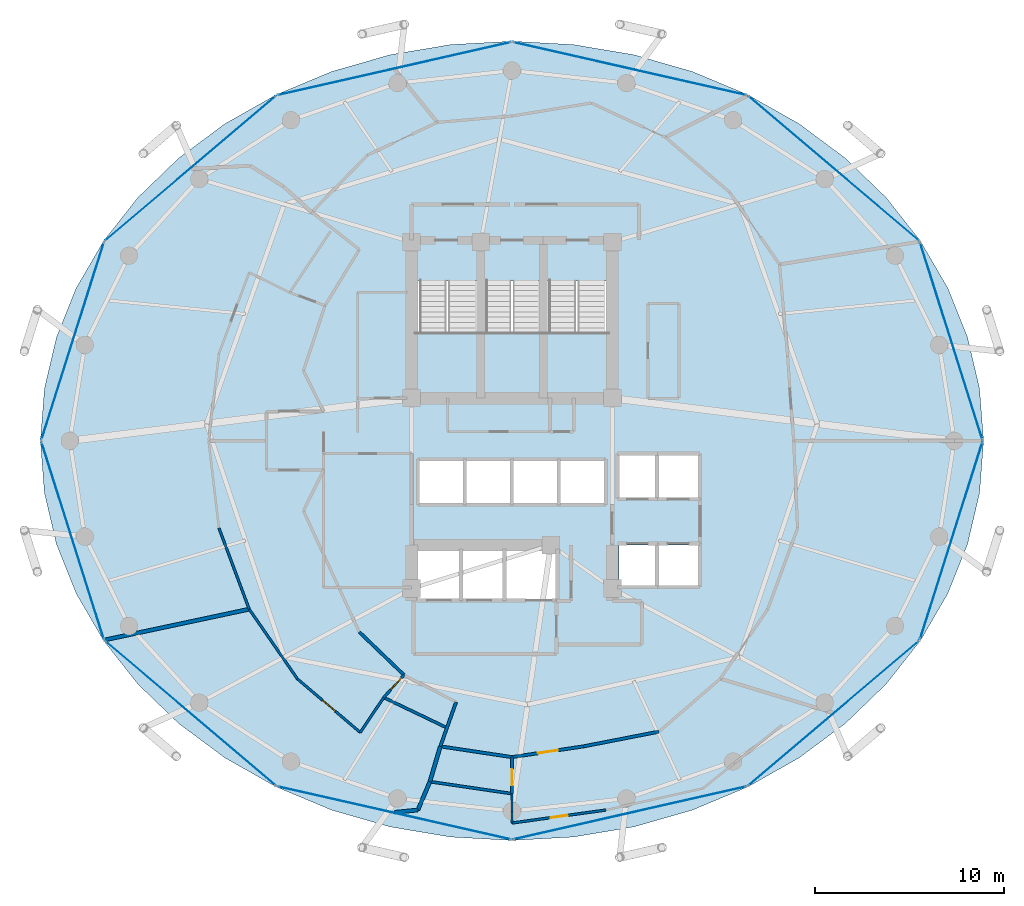
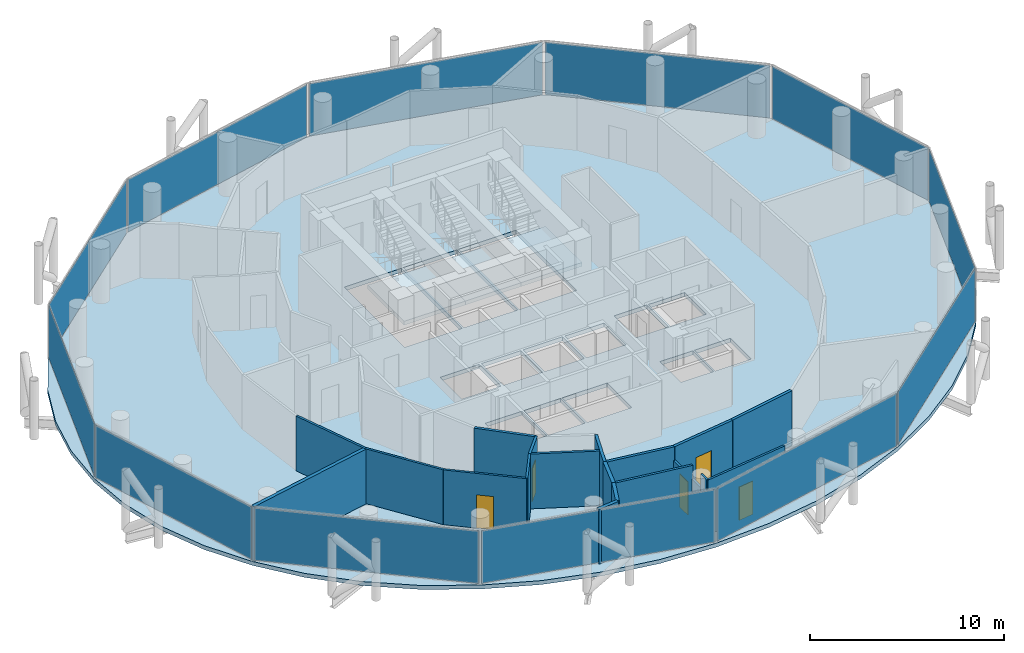
# One storey, part 21 of 26: 20 walls, 12 plates, 5 doors, 4 slabs, 5 openings, 15 elements without a shape of their own.
"""IFC4 building model written with IfcOpenShell, lengths in metres."""

from ifc_helpers import new_model, si_unit, direction, frame, frame_2d, origin, origin_2d, place, context, subcontext, project, spatial, polyline, rectangle, outline, extrude, material, layer, layer_set, type_object, element, fill, aggregate, save


model = new_model("IFC4")

# Units and contexts
model_context = context("Model", 3, precision=1e-05, world=origin(), true_north=direction((0.0, 1.0)))
body_context = subcontext(model_context, "Body", "Model", "MODEL_VIEW")
ifc_project = project(units=[si_unit("LENGTHUNIT", "METRE"), si_unit("AREAUNIT", "SQUARE_METRE"), si_unit("VOLUMEUNIT", "CUBIC_METRE"), si_unit("PLANEANGLEUNIT", "RADIAN"), si_unit("MASSUNIT", "GRAM", prefix="KILO")], contexts=[model_context])

# Site, building, storey
site_placement = place(None, origin())
site = spatial("IfcSite", under=ifc_project, at=site_placement, CompositionType="ELEMENT")
building_placement = place(site_placement, origin())
building = spatial("IfcBuilding", under=site, at=building_placement, Name="Nuhasar Tower", CompositionType="ELEMENT")
storey_placement = place(building_placement, frame((0.0, 0.0, 188.550048828125)))
storey = spatial("IfcBuildingStorey", under=building, at=storey_placement, Name="L46", CompositionType="ELEMENT", Elevation=188.550048828125)

# Curtain wall, plate
ifc_material_1 = material(Name="Aluminium 6063-T6", Category="aluminium")
ifc_layer_1 = layer(ifc_material_1, 0.199951171875)
ifc_layer_set_1 = layer_set([ifc_layer_1], Name="Aluminium 6063-T6")
curtain_wall_type = type_object("IfcCurtainWallType", Name="CW-Z2-HTL", PredefinedType="NOTDEFINED", material=ifc_layer_set_1)
curtain_wall_1_placement = place(storey_placement, origin())
curtain_wall_1 = element("IfcCurtainWall", 1, at=curtain_wall_1_placement, inside=storey, type_object=curtain_wall_type, Name="L46 Unitised Curtain Wall 01", PredefinedType="NOTDEFINED")
ifc_material_2 = material(Name="Glass Double Low-E", Category="glass")
ifc_layer_2 = layer(ifc_material_2, 0.028076171875)
ifc_layer_set_2 = layer_set([ifc_layer_2], Name="Glass Double Low-E")
plate_type = type_object("IfcPlateType", Name="CW-PANEL-GLZ", PredefinedType="CURTAIN_PANEL", material=ifc_layer_set_2)
plate_1_placement = place(storey_placement, frame((62.194580078125, 32.06494140625, 0.06982421875), z_axis=(0.0, 0.0, 1.0), x_axis=(-0.301603667577, 0.953433389233, 0.0)))
plate_1 = element("IfcPlate", 2, at=plate_1_placement, type_object=plate_type, Name="CW-Z2 panel 1.1", PredefinedType="CURTAIN_PANEL", context=body_context, shape_type="SweptSolid", body=[
    extrude(rectangle(XDim=10.904296875, YDim=0.028076171875, at=origin_2d()), origin(), (0.0, 0.0, 1.0), 3.31005859375),
])
aggregate(curtain_wall_1, [plate_1])

curtain_wall_2_placement = place(storey_placement, origin())
curtain_wall_2 = element("IfcCurtainWall", 3, at=curtain_wall_2_placement, inside=storey, type_object=curtain_wall_type, Name="L46 Unitised Curtain Wall 02", PredefinedType="NOTDEFINED")
plate_2_placement = place(storey_placement, frame((55.9794921875, 41.18408203125, 0.06982421875), z_axis=(0.0, 0.0, 1.0), x_axis=(-0.763020370292, 0.646374438324, 0.0)))
plate_2 = element("IfcPlate", 4, at=plate_2_placement, type_object=plate_type, Name="CW-Z2 panel 1.1", PredefinedType="CURTAIN_PANEL", context=body_context, shape_type="SweptSolid", body=[
    extrude(rectangle(XDim=11.784912109375, YDim=0.028076171875, at=origin_2d()), origin(), (0.0, 0.0, 1.0), 3.31005859375),
])
aggregate(curtain_wall_2, [plate_2])

curtain_wall_3_placement = place(storey_placement, origin())
curtain_wall_3 = element("IfcCurtainWall", 5, at=curtain_wall_3_placement, inside=storey, type_object=curtain_wall_type, Name="L46 Unitised Curtain Wall 03", PredefinedType="NOTDEFINED")
plate_3_placement = place(storey_placement, frame((45.215087890625, 46.448974609375, 0.06982421875), z_axis=(0.0, 0.0, 1.0), x_axis=(-0.975183694221, 0.22139729566, 0.0)))
plate_3 = element("IfcPlate", 6, at=plate_3_placement, type_object=plate_type, Name="CW-Z2 panel 1.1", PredefinedType="CURTAIN_PANEL", context=body_context, shape_type="SweptSolid", body=[
    extrude(rectangle(XDim=12.606201171875, YDim=0.028076171875, at=origin_2d()), origin(), (0.0, 0.0, 1.0), 3.31005859375),
])
aggregate(curtain_wall_3, [plate_3])

curtain_wall_4_placement = place(storey_placement, origin())
curtain_wall_4 = element("IfcCurtainWall", 7, at=curtain_wall_4_placement, inside=storey, type_object=curtain_wall_type, Name="L46 Unitised Curtain Wall 04", PredefinedType="NOTDEFINED")
plate_4_placement = place(storey_placement, frame((32.784912109375, 46.448974609375, 0.06982421875), z_axis=(0.0, 0.0, 1.0), x_axis=(-0.975183694221, -0.22139729566, 0.0)))
plate_4 = element("IfcPlate", 8, at=plate_4_placement, type_object=plate_type, Name="CW-Z2 panel 1.1", PredefinedType="CURTAIN_PANEL", context=body_context, shape_type="SweptSolid", body=[
    extrude(rectangle(XDim=12.606201171875, YDim=0.028076171875, at=origin_2d()), origin(), (0.0, 0.0, 1.0), 3.31005859375),
])
aggregate(curtain_wall_4, [plate_4])

curtain_wall_5_placement = place(storey_placement, origin())
curtain_wall_5 = element("IfcCurtainWall", 9, at=curtain_wall_5_placement, inside=storey, type_object=curtain_wall_type, Name="L46 Unitised Curtain Wall 05", PredefinedType="NOTDEFINED")
plate_5_placement = place(storey_placement, frame((22.0205078125, 41.18408203125, 0.06982421875), z_axis=(0.0, 0.0, 1.0), x_axis=(-0.763020370292, -0.646374438324, 0.0)))
plate_5 = element("IfcPlate", 10, at=plate_5_placement, type_object=plate_type, Name="CW-Z2 panel 1.1", PredefinedType="CURTAIN_PANEL", context=body_context, shape_type="SweptSolid", body=[
    extrude(rectangle(XDim=11.784912109375, YDim=0.028076171875, at=origin_2d()), origin(), (0.0, 0.0, 1.0), 3.31005859375),
])
aggregate(curtain_wall_5, [plate_5])

curtain_wall_6_placement = place(storey_placement, origin())
curtain_wall_6 = element("IfcCurtainWall", 11, at=curtain_wall_6_placement, inside=storey, type_object=curtain_wall_type, Name="L46 Unitised Curtain Wall 06", PredefinedType="NOTDEFINED")
plate_6_placement = place(storey_placement, frame((15.805419921875, 32.06494140625, 0.06982421875), z_axis=(0.0, 0.0, 1.0), x_axis=(-0.301603667577, -0.953433389233, 0.0)))
plate_6 = element("IfcPlate", 12, at=plate_6_placement, type_object=plate_type, Name="CW-Z2 panel 1.1", PredefinedType="CURTAIN_PANEL", context=body_context, shape_type="SweptSolid", body=[
    extrude(rectangle(XDim=10.904296875, YDim=0.028076171875, at=origin_2d()), origin(), (0.0, 0.0, 1.0), 3.31005859375),
])
aggregate(curtain_wall_6, [plate_6])

curtain_wall_7_placement = place(storey_placement, origin())
curtain_wall_7 = element("IfcCurtainWall", 13, at=curtain_wall_7_placement, inside=storey, type_object=curtain_wall_type, Name="L46 Unitised Curtain Wall 07", PredefinedType="NOTDEFINED")
plate_7_placement = place(storey_placement, frame((15.805419921875, 21.534912109375, 0.06982421875), z_axis=(0.0, 0.0, 1.0), x_axis=(0.301603667577, -0.953433389233, 0.0)))
plate_7 = element("IfcPlate", 14, at=plate_7_placement, type_object=plate_type, Name="CW-Z2 panel 1.1", PredefinedType="CURTAIN_PANEL", context=body_context, shape_type="SweptSolid", body=[
    extrude(rectangle(XDim=10.904296875, YDim=0.028076171875, at=origin_2d()), origin(), (0.0, 0.0, 1.0), 3.31005859375),
])
aggregate(curtain_wall_7, [plate_7])

curtain_wall_8_placement = place(storey_placement, origin())
curtain_wall_8 = element("IfcCurtainWall", 15, at=curtain_wall_8_placement, inside=storey, type_object=curtain_wall_type, Name="L46 Unitised Curtain Wall 08", PredefinedType="NOTDEFINED")
plate_8_placement = place(storey_placement, frame((22.0205078125, 12.416015625, 0.06982421875), z_axis=(0.0, 0.0, 1.0), x_axis=(0.763020370292, -0.646374438324, 0.0)))
plate_8 = element("IfcPlate", 16, at=plate_8_placement, type_object=plate_type, Name="CW-Z2 panel 1.1", PredefinedType="CURTAIN_PANEL", context=body_context, shape_type="SweptSolid", body=[
    extrude(rectangle(XDim=11.784912109375, YDim=0.028076171875, at=origin_2d()), origin(), (0.0, 0.0, 1.0), 3.31005859375),
])
aggregate(curtain_wall_8, [plate_8])

curtain_wall_9_placement = place(storey_placement, origin())
curtain_wall_9 = element("IfcCurtainWall", 17, at=curtain_wall_9_placement, inside=storey, type_object=curtain_wall_type, Name="L46 Unitised Curtain Wall 09", PredefinedType="NOTDEFINED")
plate_9_placement = place(storey_placement, frame((32.784912109375, 7.15087890625, 0.06982421875), z_axis=(0.0, 0.0, 1.0), x_axis=(0.975183694221, -0.22139729566, 0.0)))
plate_9 = element("IfcPlate", 18, at=plate_9_placement, type_object=plate_type, Name="CW-Z2 panel 1.1", PredefinedType="CURTAIN_PANEL", context=body_context, shape_type="SweptSolid", body=[
    extrude(rectangle(XDim=12.606201171875, YDim=0.028076171875, at=origin_2d()), origin(), (0.0, 0.0, 1.0), 3.31005859375),
])
aggregate(curtain_wall_9, [plate_9])

curtain_wall_10_placement = place(storey_placement, origin())
curtain_wall_10 = element("IfcCurtainWall", 19, at=curtain_wall_10_placement, inside=storey, type_object=curtain_wall_type, Name="L46 Unitised Curtain Wall 10", PredefinedType="NOTDEFINED")
plate_10_placement = place(storey_placement, frame((45.215087890625, 7.15087890625, 0.06982421875), z_axis=(0.0, 0.0, 1.0), x_axis=(0.975183694221, 0.22139729566, 0.0)))
plate_10 = element("IfcPlate", 20, at=plate_10_placement, type_object=plate_type, Name="CW-Z2 panel 1.1", PredefinedType="CURTAIN_PANEL", context=body_context, shape_type="SweptSolid", body=[
    extrude(rectangle(XDim=12.606201171875, YDim=0.028076171875, at=origin_2d()), origin(), (0.0, 0.0, 1.0), 3.31005859375),
])
aggregate(curtain_wall_10, [plate_10])

curtain_wall_11_placement = place(storey_placement, origin())
curtain_wall_11 = element("IfcCurtainWall", 21, at=curtain_wall_11_placement, inside=storey, type_object=curtain_wall_type, Name="L46 Unitised Curtain Wall 11", PredefinedType="NOTDEFINED")
plate_11_placement = place(storey_placement, frame((55.9794921875, 12.416015625, 0.06982421875), z_axis=(0.0, 0.0, 1.0), x_axis=(0.763020370292, 0.646374438324, 0.0)))
plate_11 = element("IfcPlate", 22, at=plate_11_placement, type_object=plate_type, Name="CW-Z2 panel 1.1", PredefinedType="CURTAIN_PANEL", context=body_context, shape_type="SweptSolid", body=[
    extrude(rectangle(XDim=11.784912109375, YDim=0.028076171875, at=origin_2d()), origin(), (0.0, 0.0, 1.0), 3.31005859375),
])
aggregate(curtain_wall_11, [plate_11])

curtain_wall_12_placement = place(storey_placement, origin())
curtain_wall_12 = element("IfcCurtainWall", 23, at=curtain_wall_12_placement, inside=storey, type_object=curtain_wall_type, Name="L46 Unitised Curtain Wall 12", PredefinedType="NOTDEFINED")
plate_12_placement = place(storey_placement, frame((62.194580078125, 21.534912109375, 0.06982421875), z_axis=(0.0, 0.0, 1.0), x_axis=(0.301603667577, 0.953433389233, 0.0)))
plate_12 = element("IfcPlate", 24, at=plate_12_placement, type_object=plate_type, Name="CW-Z2 panel 1.1", PredefinedType="CURTAIN_PANEL", context=body_context, shape_type="SweptSolid", body=[
    extrude(rectangle(XDim=10.904296875, YDim=0.028076171875, at=origin_2d()), origin(), (0.0, 0.0, 1.0), 3.31005859375),
])
aggregate(curtain_wall_12, [plate_12])

# Stair, slab
ifc_material_3 = material(Name="Concrete C45/55", Category="concrete")
stair_type_1 = type_object("IfcStairType", Name="STR-ST-01-2F-22R-1682", PredefinedType="HALF_TURN_STAIR", material=ifc_material_3)
stair_1_placement = place(storey_placement, origin())
stair_1 = element("IfcStair", 25, at=stair_1_placement, inside=storey, type_object=stair_type_1, Name="L46 Exit Stair ST-01", PredefinedType="HALF_TURN_STAIR")
ifc_layer_3 = layer(ifc_material_3, 0.239990234375)
ifc_layer_set_3 = layer_set([ifc_layer_3], Name="Concrete C45/55")
slab_type_1 = type_object("IfcSlabType", Name="SLB-STAIR-LND-240", PredefinedType="LANDING", material=ifc_layer_set_3)
slab_1_placement = place(storey_placement, frame((0.0, 0.0, 1.60986328125)))
slab_1 = element("IfcSlab", 26, at=slab_1_placement, type_object=slab_type_1, Name="ST-01 landing 1", PredefinedType="LANDING", context=body_context, shape_type="SweptSolid", body=[
    extrude(outline(polyline([(33.699951171875, 28.75), (37.35009765625, 28.75), (37.35009765625, 32.52001953125), (33.699951171875, 32.52001953125), (33.699951171875, 28.75)])), origin(), (0.0, 0.0, 1.0), 0.239990234375),
])
aggregate(stair_1, [slab_1])

stair_type_2 = type_object("IfcStairType", Name="STR-ST-03-2F-22R-1682", PredefinedType="HALF_TURN_STAIR", material=ifc_material_3)
stair_2_placement = place(storey_placement, origin())
stair_2 = element("IfcStair", 27, at=stair_2_placement, inside=storey, type_object=stair_type_2, Name="L46 Exit Stair ST-03", PredefinedType="HALF_TURN_STAIR")
slab_2_placement = place(storey_placement, frame((0.0, 0.0, 1.60986328125)))
slab_2 = element("IfcSlab", 28, at=slab_2_placement, type_object=slab_type_1, Name="ST-03 landing 1", PredefinedType="LANDING", context=body_context, shape_type="SweptSolid", body=[
    extrude(outline(polyline([(37.35009765625, 28.75), (40.64990234375, 28.75), (40.64990234375, 32.52001953125), (37.35009765625, 32.52001953125), (37.35009765625, 28.75)])), origin(), (0.0, 0.0, 1.0), 0.239990234375),
])
aggregate(stair_2, [slab_2])

stair_type_3 = type_object("IfcStairType", Name="STR-ST-02-2F-22R-1682", PredefinedType="HALF_TURN_STAIR", material=ifc_material_3)
stair_3_placement = place(storey_placement, origin())
stair_3 = element("IfcStair", 29, at=stair_3_placement, inside=storey, type_object=stair_type_3, Name="L46 Exit Stair ST-02", PredefinedType="HALF_TURN_STAIR")
slab_3_placement = place(storey_placement, frame((0.0, 0.0, 1.60986328125)))
slab_3 = element("IfcSlab", 30, at=slab_3_placement, type_object=slab_type_1, Name="ST-02 landing 1", PredefinedType="LANDING", context=body_context, shape_type="SweptSolid", body=[
    extrude(outline(polyline([(40.64990234375, 28.75), (44.300048828125, 28.75), (44.300048828125, 32.52001953125), (40.64990234375, 32.52001953125), (40.64990234375, 28.75)])), origin(), (0.0, 0.0, 1.0), 0.239990234375),
])
aggregate(stair_3, [slab_3])

# Slab
ifc_layer_4 = layer(ifc_material_3, 0.25)
ifc_layer_set_4 = layer_set([ifc_layer_4], Name="Concrete C45/55")
slab_type_2 = type_object("IfcSlabType", Name="SLB-Z1B-250", PredefinedType="FLOOR", material=ifc_layer_set_4)
slab_4_placement = place(storey_placement, frame((0.0, 0.0, -0.25)))
element("IfcSlab", 31, at=slab_4_placement, inside=storey, type_object=slab_type_2, Name="L46 Structural Slab", PredefinedType="FLOOR", context=body_context, shape_type="SweptSolid", body=[
    extrude(outline(polyline([(63.89990234375, 26.800048828125), (63.68701171875, 29.553955078125), (63.052001953125, 32.260986328125), (62.0048828125, 34.875), (60.56396484375, 37.35009765625), (58.75390625, 39.64501953125), (56.60693359375, 41.719970703125), (54.157958984375, 43.5400390625), (51.449951171875, 45.072998046875), (48.529052734375, 46.2939453125), (45.445068359375, 47.180908203125), (42.25, 47.718994140625), (39.0, 47.89990234375), (35.75, 47.718994140625), (32.554931640625, 47.180908203125), (29.470947265625, 46.2939453125), (26.550048828125, 45.072998046875), (23.842041015625, 43.5400390625), (21.39306640625, 41.719970703125), (19.24609375, 39.64501953125), (17.43603515625, 37.35009765625), (15.9951171875, 34.875), (14.947998046875, 32.260986328125), (14.31298828125, 29.553955078125), (14.10009765625, 26.800048828125), (14.31298828125, 24.0458984375), (14.947998046875, 21.339111328125), (15.9951171875, 18.72509765625), (17.43603515625, 16.25), (19.24609375, 13.955078125), (21.39306640625, 11.8798828125), (23.842041015625, 10.06005859375), (26.550048828125, 8.527099609375), (29.470947265625, 7.305908203125), (32.554931640625, 6.4189453125), (35.75, 5.881103515625), (39.0, 5.699951171875), (42.25, 5.881103515625), (45.445068359375, 6.4189453125), (48.529052734375, 7.305908203125), (51.449951171875, 8.527099609375), (54.157958984375, 10.06005859375), (56.60693359375, 11.8798828125), (58.75390625, 13.955078125), (60.56396484375, 16.25), (62.0048828125, 18.72509765625), (63.052001953125, 21.339111328125), (63.68701171875, 24.0458984375), (63.89990234375, 26.800048828125)]), holes=[polyline([(33.8798828125, 35.25), (37.300048828125, 35.25), (37.300048828125, 29.0), (33.8798828125, 29.0), (33.8798828125, 35.25)]), polyline([(37.39990234375, 35.25), (40.60009765625, 35.25), (40.60009765625, 29.0), (37.39990234375, 29.0), (37.39990234375, 35.25)]), polyline([(40.699951171875, 35.25), (44.1201171875, 35.25), (44.1201171875, 29.0), (40.699951171875, 29.0), (40.699951171875, 35.25)]), polyline([(44.64990234375, 26.050048828125), (46.60009765625, 26.050048828125), (46.60009765625, 23.800048828125), (44.64990234375, 23.800048828125), (44.64990234375, 26.050048828125)]), polyline([(46.699951171875, 26.050048828125), (48.85009765625, 26.050048828125), (48.85009765625, 23.800048828125), (46.699951171875, 23.800048828125), (46.699951171875, 26.050048828125)]), polyline([(44.64990234375, 21.300048828125), (46.60009765625, 21.300048828125), (46.60009765625, 19.14990234375), (44.64990234375, 19.14990234375), (44.64990234375, 21.300048828125)]), polyline([(46.699951171875, 21.300048828125), (48.85009765625, 21.300048828125), (48.85009765625, 19.14990234375), (46.699951171875, 19.14990234375), (46.699951171875, 21.300048828125)]), polyline([(34.10009765625, 25.75), (36.43994140625, 25.75), (36.43994140625, 23.5), (34.10009765625, 23.5), (34.10009765625, 25.75)]), polyline([(36.580078125, 25.75), (38.919921875, 25.75), (38.919921875, 23.5), (36.580078125, 23.5), (36.580078125, 25.75)]), polyline([(39.06005859375, 25.75), (41.39990234375, 25.75), (41.39990234375, 23.5), (39.06005859375, 23.5), (39.06005859375, 25.75)]), polyline([(41.5400390625, 25.75), (43.8798828125, 25.75), (43.8798828125, 23.5), (41.5400390625, 23.5), (41.5400390625, 25.75)]), polyline([(34.050048828125, 21.0), (36.25, 21.0), (36.25, 18.449951171875), (34.050048828125, 18.449951171875), (34.050048828125, 21.0)]), polyline([(36.35009765625, 21.0), (38.550048828125, 21.0), (38.550048828125, 18.449951171875), (36.35009765625, 18.449951171875), (36.35009765625, 21.0)]), polyline([(38.64990234375, 21.0), (41.320068359375, 21.0), (41.320068359375, 18.449951171875), (38.64990234375, 18.449951171875), (38.64990234375, 21.0)])]), origin(), (0.0, 0.0, 1.0), 0.25),
])

# Wall
ifc_material_4 = material(Name="Gypsum Board", Category="gypsum")
ifc_layer_5 = layer(ifc_material_4, 0.159912109375)
ifc_layer_set_5 = layer_set([ifc_layer_5], Name="Gypsum Board")
wall_type_1 = type_object("IfcWallType", Name="WL-CORR-160", PredefinedType="PARTITIONING", material=ifc_layer_set_5)
wall_1_placement = place(storey_placement, frame((35.216064453125, 10.6689453125, 0.0), z_axis=(0.0, 0.0, 1.0), x_axis=(0.988888097148, -0.148661801817, 0.0)))
element("IfcWall", 32, at=wall_1_placement, inside=storey, type_object=wall_type_1, Name="L46 Interior Partition CORR-34", PredefinedType="PARTITIONING", context=body_context, shape_type="SweptSolid", body=[
    extrude(rectangle(XDim=3.826416015625, YDim=0.159912109375, at=frame_2d((1.9130859375, 0.0))), origin(), (0.0, 0.0, 1.0), 3.449951171875),
])

# Wall, opening, door
wall_2_placement = place(storey_placement, frame((42.783935546875, 10.6689453125, 0.0), z_axis=(0.0, 0.0, 1.0), x_axis=(-0.988888097148, -0.148661801817, 0.0)))
wall_2 = element("IfcWall", 33, at=wall_2_placement, inside=storey, type_object=wall_type_1, Name="L46 Interior Partition CORR-36", PredefinedType="PARTITIONING", context=body_context, shape_type="SweptSolid", body=[
    extrude(rectangle(XDim=3.826416015625, YDim=0.159912109375, at=frame_2d((1.9130859375, 0.0))), origin(), (0.0, 0.0, 1.0), 3.449951171875),
])
opening_1_placement = place(wall_2_placement, frame((1.387939453125, 0.0, 0.0)))
opening_1 = element("IfcOpeningElement", 34, at=opening_1_placement, cuts=wall_2, Name="Opening DU-01", PredefinedType="OPENING", context=body_context, shape_type="SweptSolid", body=[
    extrude(rectangle(XDim=1.050048828125, YDim=2.14990234375, at=frame_2d((0.52490234375, 1.074951171875))), frame((0.0, 0.08984375, 0.0), z_axis=(0.0, -1.0, 0.0), x_axis=(1.0, 0.0, 0.0)), (0.0, 0.0, 1.0), 0.179931640625),
])
ifc_material_5 = material(Name="Timber Oak", Category="wood")
door_type_1 = type_object("IfcDoorType", Name="DR-SUITE-FD60-1050", OperationType="NOTDEFINED", PredefinedType="DOOR", material=ifc_material_5)
door_1_placement = place(opening_1_placement, origin())
door_1 = element("IfcDoor", 35, at=door_1_placement, inside=storey, type_object=door_type_1, Name="L46 Royal Hijaz Suite East Entrance Door", OperationType="SINGLE_SWING_LEFT", OverallHeight=2.14990234375, OverallWidth=1.050048828125, PredefinedType="DOOR", context=body_context, shape_type="SweptSolid", body=[
    extrude(rectangle(XDim=1.050048828125, YDim=2.14990234375, at=frame_2d((0.52490234375, 1.074951171875))), frame((0.0, 0.02490234375, 0.0), z_axis=(0.0, -1.0, 0.0), x_axis=(1.0, 0.0, 0.0)), (0.0, 0.0, 1.0), 0.050048828125),
])
fill(opening_1, door_1)

# Walls
wall_3_placement = place(storey_placement, frame((42.783935546875, 10.6689453125, 0.0), z_axis=(0.0, 0.0, 1.0), x_axis=(0.981485343451, 0.191537256405, 0.0)))
element("IfcWall", 36, at=wall_3_placement, inside=storey, type_object=wall_type_1, Name="L46 Interior Partition CORR-38", PredefinedType="PARTITIONING", context=body_context, shape_type="SweptSolid", body=[
    extrude(rectangle(XDim=4.052001953125, YDim=0.159912109375, at=frame_2d((2.02587890625, 0.0))), origin(), (0.0, 0.0, 1.0), 3.449951171875),
])
wall_4_placement = place(storey_placement, frame((36.049072265625, 13.007080078125, 0.0), z_axis=(0.0, 0.0, 1.0), x_axis=(-0.335607268638, -0.942001996408, 0.0)))
element("IfcWall", 37, at=wall_4_placement, inside=storey, type_object=wall_type_1, Name="L46 Interior Partition HRAD-34-IN", PredefinedType="PARTITIONING", context=body_context, shape_type="SweptSolid", body=[
    extrude(rectangle(XDim=2.482177734375, YDim=0.159912109375, at=frame_2d((1.2412109375, 0.0))), origin(), (0.0, 0.0, 1.0), 3.449951171875),
])
wall_5_placement = place(storey_placement, frame((30.93896484375, 16.702880859375, 0.0), z_axis=(0.0, 0.0, 1.0), x_axis=(0.72090897908, -0.693029756851, 0.0)))
element("IfcWall", 38, at=wall_5_placement, inside=storey, type_object=wall_type_1, Name="L46 Interior Partition HWEST-CORE-S2-30", PredefinedType="PARTITIONING", context=body_context, shape_type="SweptSolid", body=[
    extrude(rectangle(XDim=3.275146484375, YDim=0.159912109375, at=frame_2d((1.6376953125, 0.0))), origin(), (0.0, 0.0, 1.0), 3.449951171875),
])
ifc_layer_6 = layer(ifc_material_4, 0.125)
ifc_layer_set_6 = layer_set([ifc_layer_6], Name="Gypsum Board")
wall_type_2 = type_object("IfcWallType", Name="WL-PART-125", PredefinedType="PARTITIONING", material=ifc_layer_set_6)
wall_6_placement = place(storey_placement, frame((39.0, 8.169921875, 0.0), z_axis=(0.0, 0.0, 1.0), x_axis=(0.0, -1.0, 0.0)))
element("IfcWall", 39, at=wall_6_placement, inside=storey, type_object=wall_type_2, Name="L46 Interior Partition HBS-01", PredefinedType="PARTITIONING", context=body_context, shape_type="SweptSolid", body=[
    extrude(rectangle(XDim=0.928955078125, YDim=0.125, at=frame_2d((0.46435546875, 0.0))), origin(), (0.0, 0.0, 1.0), 2.58984375),
])
wall_7_placement = place(storey_placement, frame((39.0, 7.240966796875, 0.0), z_axis=(0.0, 0.0, 1.0), x_axis=(0.0, -1.0, 0.0)))
element("IfcWall", 40, at=wall_7_placement, inside=storey, type_object=wall_type_2, Name="L46 Interior Partition HBS-01", PredefinedType="PARTITIONING", context=body_context, shape_type="SweptSolid", body=[
    extrude(rectangle(XDim=0.620849609375, YDim=0.125, at=frame_2d((0.310546875, 0.0))), origin(), (0.0, 0.0, 1.0), 3.449951171875),
])

# Wall, opening, door
wall_8_placement = place(storey_placement, frame((43.968994140625, 7.30810546875, 0.0), z_axis=(0.0, 0.0, 1.0), x_axis=(-0.99055057881, -0.13714791584, 0.0)))
wall_8 = element("IfcWall", 41, at=wall_8_placement, inside=storey, type_object=wall_type_2, Name="L46 Interior Partition HSAL-01-36", PredefinedType="PARTITIONING", context=body_context, shape_type="SweptSolid", body=[
    extrude(rectangle(XDim=5.016357421875, YDim=0.125, at=frame_2d((2.50830078125, 0.0))), origin(), (0.0, 0.0, 1.0), 3.449951171875),
])
opening_2_placement = place(wall_8_placement, frame((2.05810546875, 0.0, 0.0)))
opening_2 = element("IfcOpeningElement", 42, at=opening_2_placement, cuts=wall_8, Name="Opening DR-01", PredefinedType="OPENING", context=body_context, shape_type="SweptSolid", body=[
    extrude(rectangle(XDim=0.89990234375, YDim=2.10009765625, at=frame_2d((0.449951171875, 1.050048828125))), frame((0.0, 0.072509765625, 0.0), z_axis=(0.0, -1.0, 0.0), x_axis=(1.0, 0.0, 0.0)), (0.0, 0.0, 1.0), 0.14501953125),
])
door_type_2 = type_object("IfcDoorType", Name="DR-ROOM-900", OperationType="NOTDEFINED", PredefinedType="DOOR", material=ifc_material_5)
door_2_placement = place(opening_2_placement, origin())
door_2 = element("IfcDoor", 43, at=door_2_placement, inside=storey, type_object=door_type_2, Name="L46 Royal Hijaz Suite East Bedroom Door", OperationType="SINGLE_SWING_LEFT", OverallHeight=2.10009765625, OverallWidth=0.89990234375, PredefinedType="DOOR", context=body_context, shape_type="SweptSolid", body=[
    extrude(rectangle(XDim=0.89990234375, YDim=2.10009765625, at=frame_2d((0.449951171875, 1.050048828125))), frame((0.0, 0.02490234375, 0.0), z_axis=(0.0, -1.0, 0.0), x_axis=(1.0, 0.0, 0.0)), (0.0, 0.0, 1.0), 0.050048828125),
])
fill(opening_2, door_2)

# Walls
wall_9_placement = place(storey_placement, frame((32.22509765625, 13.2470703125, 0.0), z_axis=(0.0, 0.0, 1.0), x_axis=(-0.556297850913, -0.830982972791, 0.0)))
element("IfcWall", 44, at=wall_9_placement, inside=storey, type_object=wall_type_2, Name="L46 Interior Partition HWS2-N", PredefinedType="PARTITIONING", context=body_context, shape_type="SweptSolid", body=[
    extrude(rectangle(XDim=2.22021484375, YDim=0.125, at=frame_2d((1.110107421875, 0.0))), origin(), (0.0, 0.0, 1.0), 3.449951171875),
])
wall_10_placement = place(storey_placement, frame((23.52587890625, 22.197998046875, 0.0), z_axis=(0.0, 0.0, 1.0), x_axis=(0.349603098964, -0.936897899024, 0.0)))
element("IfcWall", 45, at=wall_10_placement, inside=storey, type_object=wall_type_2, Name="L46 Interior Partition HWS2-ARC-26", PredefinedType="PARTITIONING", context=body_context, shape_type="SweptSolid", body=[
    extrude(rectangle(XDim=4.576904296875, YDim=0.125, at=frame_2d((2.28857421875, 0.0))), origin(), (0.0, 0.0, 1.0), 3.449951171875),
])
wall_11_placement = place(storey_placement, frame((25.1259765625, 17.909912109375, 0.0), z_axis=(0.0, 0.0, 1.0), x_axis=(0.568778830708, -0.822490511641, 0.0)))
element("IfcWall", 46, at=wall_11_placement, inside=storey, type_object=wall_type_2, Name="L46 Interior Partition HWS2-ARC-28", PredefinedType="PARTITIONING", context=body_context, shape_type="SweptSolid", body=[
    extrude(rectangle(XDim=4.4765625, YDim=0.125, at=frame_2d((2.23828125, 0.0))), origin(), (0.0, 0.0, 1.0), 3.449951171875),
])

# Wall, opening, door
wall_12_placement = place(storey_placement, frame((27.672119140625, 14.22802734375, 0.0), z_axis=(0.0, 0.0, 1.0), x_axis=(0.76128931679, -0.648412350393, 0.0)))
wall_12 = element("IfcWall", 47, at=wall_12_placement, inside=storey, type_object=wall_type_2, Name="L46 Interior Partition HWS2-ARC-30", PredefinedType="PARTITIONING", context=body_context, shape_type="SweptSolid", body=[
    extrude(rectangle(XDim=4.358154296875, YDim=0.125, at=frame_2d((2.17919921875, 0.0))), origin(), (0.0, 0.0, 1.0), 3.449951171875),
])
opening_3_placement = place(wall_12_placement, frame((1.72900390625, 0.0, 0.0)))
opening_3 = element("IfcOpeningElement", 48, at=opening_3_placement, cuts=wall_12, Name="Opening DR-01", PredefinedType="OPENING", context=body_context, shape_type="SweptSolid", body=[
    extrude(rectangle(XDim=0.89990234375, YDim=2.10009765625, at=frame_2d((0.449951171875, 1.050048828125))), frame((0.0, 0.072509765625, 0.0), z_axis=(0.0, -1.0, 0.0), x_axis=(1.0, 0.0, 0.0)), (0.0, 0.0, 1.0), 0.14501953125),
])
door_3_placement = place(opening_3_placement, origin())
door_3 = element("IfcDoor", 49, at=door_3_placement, inside=storey, type_object=door_type_2, Name="L46 South-West Presidential Suite Bedroom Door", OperationType="SINGLE_SWING_RIGHT", OverallHeight=2.10009765625, OverallWidth=0.89990234375, PredefinedType="DOOR", context=body_context, shape_type="SweptSolid", body=[
    extrude(rectangle(XDim=0.89990234375, YDim=2.10009765625, at=frame_2d((0.449951171875, 1.050048828125))), frame((0.0, 0.02490234375, 0.0), z_axis=(0.0, -1.0, 0.0), x_axis=(1.0, 0.0, 0.0)), (0.0, 0.0, 1.0), 0.050048828125),
])
fill(opening_3, door_3)

# Walls
ifc_material_6 = material(Name="Concrete C40/50 precast", Category="concrete")
ifc_layer_7 = layer(ifc_material_6, 0.199951171875)
ifc_layer_set_7 = layer_set([ifc_layer_7], Name="Concrete C40/50 precast")
wall_type_3 = type_object("IfcWallType", Name="WL-UNIT-200", PredefinedType="PARTITIONING", material=ifc_layer_set_7)
wall_13_placement = place(storey_placement, frame((35.216064453125, 10.6689453125, 0.0), z_axis=(0.0, 0.0, 1.0), x_axis=(-0.283485285535, -0.958976586203, 0.0)))
element("IfcWall", 50, at=wall_13_placement, inside=storey, type_object=wall_type_3, Name="L46 Interior Partition HRAD-34-OUT-S1", PredefinedType="PARTITIONING", context=body_context, shape_type="SweptSolid", body=[
    extrude(rectangle(XDim=1.94384765625, YDim=0.199951171875, at=frame_2d((0.971923828125, 0.0))), origin(), (0.0, 0.0, 1.0), 3.449951171875),
])
wall_14_placement = place(storey_placement, frame((34.6650390625, 8.804931640625, 0.0), z_axis=(0.0, 0.0, 1.0), x_axis=(-0.39003681134, -0.920799264661, 0.0)))
element("IfcWall", 51, at=wall_14_placement, inside=storey, type_object=wall_type_3, Name="L46 Interior Partition HRAD-34-OUT-S2", PredefinedType="PARTITIONING", context=body_context, shape_type="SweptSolid", body=[
    extrude(rectangle(XDim=1.62548828125, YDim=0.199951171875, at=frame_2d((0.812744140625, 0.0))), origin(), (0.0, 0.0, 1.0), 3.449951171875),
])
wall_15_placement = place(storey_placement, frame((34.031005859375, 7.30810546875, 0.0), z_axis=(0.0, 0.0, 1.0), x_axis=(-0.995011882632, -0.09975647057, 0.0)))
element("IfcWall", 52, at=wall_15_placement, inside=storey, type_object=wall_type_3, Name="L46 Interior Partition HRAD-34-OUT-S3", PredefinedType="PARTITIONING", context=body_context, shape_type="SweptSolid", body=[
    extrude(rectangle(XDim=1.2431640625, YDim=0.199951171875, at=frame_2d((0.62158203125, 0.0))), origin(), (0.0, 0.0, 1.0), 3.449951171875),
])
wall_16_placement = place(storey_placement, frame((25.1259765625, 17.909912109375, 0.0), z_axis=(0.0, 0.0, 1.0), x_axis=(-0.978119354701, -0.208044533596, 0.0)))
element("IfcWall", 53, at=wall_16_placement, inside=storey, type_object=wall_type_3, Name="L46 Interior Partition HWEST-DIV-OUT", PredefinedType="PARTITIONING", context=body_context, shape_type="SweptSolid", body=[
    extrude(rectangle(XDim=7.795654296875, YDim=0.199951171875, at=frame_2d((3.89794921875, 0.0))), origin(), (0.0, 0.0, 1.0), 3.449951171875),
])

# Wall, opening, door
ifc_layer_8 = layer(ifc_material_6, 0.139892578125)
ifc_layer_set_8 = layer_set([ifc_layer_8], Name="Concrete C40/50 precast")
wall_type_4 = type_object("IfcWallType", Name="WL-WET-140", PredefinedType="PARTITIONING", material=ifc_layer_set_8)
wall_17_placement = place(storey_placement, frame((39.0, 10.10009765625, 0.0), z_axis=(0.0, 0.0, 1.0), x_axis=(0.0, -1.0, 0.0)))
wall_17 = element("IfcWall", 54, at=wall_17_placement, inside=storey, type_object=wall_type_4, Name="L46 Interior Partition HBW-01", PredefinedType="PARTITIONING", context=body_context, shape_type="SweptSolid", body=[
    extrude(rectangle(XDim=1.93017578125, YDim=0.139892578125, at=frame_2d((0.965087890625, 0.0))), origin(), (0.0, 0.0, 1.0), 2.58984375),
])
opening_4_placement = place(wall_17_placement, frame((0.635986328125, 0.0, 0.0)))
opening_4 = element("IfcOpeningElement", 55, at=opening_4_placement, cuts=wall_17, Name="Opening DB-01", PredefinedType="OPENING", context=body_context, shape_type="SweptSolid", body=[
    extrude(rectangle(XDim=0.85009765625, YDim=2.10009765625, at=frame_2d((0.425048828125, 1.050048828125))), frame((0.0, 0.080078125, 0.0), z_axis=(0.0, -1.0, 0.0), x_axis=(1.0, 0.0, 0.0)), (0.0, 0.0, 1.0), 0.159912109375),
])
door_type_3 = type_object("IfcDoorType", Name="DR-BATH-850", OperationType="NOTDEFINED", PredefinedType="DOOR", material=ifc_material_5)
door_4_placement = place(opening_4_placement, origin())
door_4 = element("IfcDoor", 56, at=door_4_placement, inside=storey, type_object=door_type_3, Name="L46 Royal Hijaz Suite East En-Suite Door", OperationType="SINGLE_SWING_RIGHT", OverallHeight=2.10009765625, OverallWidth=0.85009765625, PredefinedType="DOOR", context=body_context, shape_type="SweptSolid", body=[
    extrude(rectangle(XDim=0.85009765625, YDim=2.10009765625, at=frame_2d((0.425048828125, 1.050048828125))), frame((0.0, 0.02490234375, 0.0), z_axis=(0.0, -1.0, 0.0), x_axis=(1.0, 0.0, 0.0)), (0.0, 0.0, 1.0), 0.050048828125),
])
fill(opening_4, door_4)

# Wall
wall_18_placement = place(storey_placement, frame((34.6650390625, 8.804931640625, 0.0), z_axis=(0.0, 0.0, 1.0), x_axis=(0.989440607964, -0.144938895095, 0.0)))
element("IfcWall", 57, at=wall_18_placement, inside=storey, type_object=wall_type_4, Name="L46 Interior Partition HBF-01-34", PredefinedType="PARTITIONING", context=body_context, shape_type="SweptSolid", body=[
    extrude(rectangle(XDim=4.381103515625, YDim=0.139892578125, at=frame_2d((2.1904296875, 0.0))), origin(), (0.0, 0.0, 1.0), 3.449951171875),
])

# Wall, opening, door
wall_19_placement = place(storey_placement, frame((33.300048828125, 14.43310546875, 0.0), z_axis=(0.0, 0.0, 1.0), x_axis=(-0.671556062003, -0.740953747266, 0.0)))
wall_19 = element("IfcWall", 58, at=wall_19_placement, inside=storey, type_object=wall_type_4, Name="L46 Interior Partition HBW2-N", PredefinedType="PARTITIONING", context=body_context, shape_type="SweptSolid", body=[
    extrude(rectangle(XDim=1.6005859375, YDim=0.139892578125, at=frame_2d((0.80029296875, 0.0))), origin(), (0.0, 0.0, 1.0), 3.449951171875),
])
opening_5_placement = place(wall_19_placement, frame((0.199951171875, 0.0, 0.0)))
opening_5 = element("IfcOpeningElement", 59, at=opening_5_placement, cuts=wall_19, Name="Opening DB-01", PredefinedType="OPENING", context=body_context, shape_type="SweptSolid", body=[
    extrude(rectangle(XDim=0.85009765625, YDim=2.10009765625, at=frame_2d((0.425048828125, 1.050048828125))), frame((0.0, 0.080078125, 0.0), z_axis=(0.0, -1.0, 0.0), x_axis=(1.0, 0.0, 0.0)), (0.0, 0.0, 1.0), 0.159912109375),
])
door_5_placement = place(opening_5_placement, origin())
door_5 = element("IfcDoor", 60, at=door_5_placement, inside=storey, type_object=door_type_3, Name="L46 South-West Presidential Suite En-Suite Door", OperationType="SINGLE_SWING_LEFT", OverallHeight=2.10009765625, OverallWidth=0.85009765625, PredefinedType="DOOR", context=body_context, shape_type="SweptSolid", body=[
    extrude(rectangle(XDim=0.85009765625, YDim=2.10009765625, at=frame_2d((0.425048828125, 1.050048828125))), frame((0.0, 0.02490234375, 0.0), z_axis=(0.0, -1.0, 0.0), x_axis=(1.0, 0.0, 0.0)), (0.0, 0.0, 1.0), 0.050048828125),
])
fill(opening_5, door_5)

# Wall
wall_20_placement = place(storey_placement, frame((32.22509765625, 13.2470703125, 0.0), z_axis=(0.0, 0.0, 1.0), x_axis=(0.902016722043, -0.431701092372, 0.0)))
element("IfcWall", 61, at=wall_20_placement, inside=storey, type_object=wall_type_4, Name="L46 Interior Partition HBW2-E", PredefinedType="PARTITIONING", context=body_context, shape_type="SweptSolid", body=[
    extrude(rectangle(XDim=3.622802734375, YDim=0.139892578125, at=frame_2d((1.8115234375, 0.0))), origin(), (0.0, 0.0, 1.0), 3.449951171875),
])

save(model, "model.ifc")
